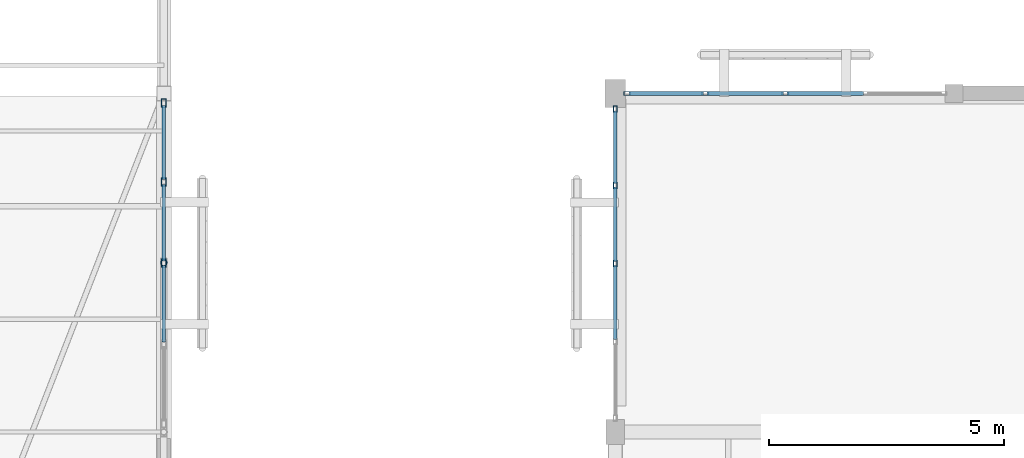
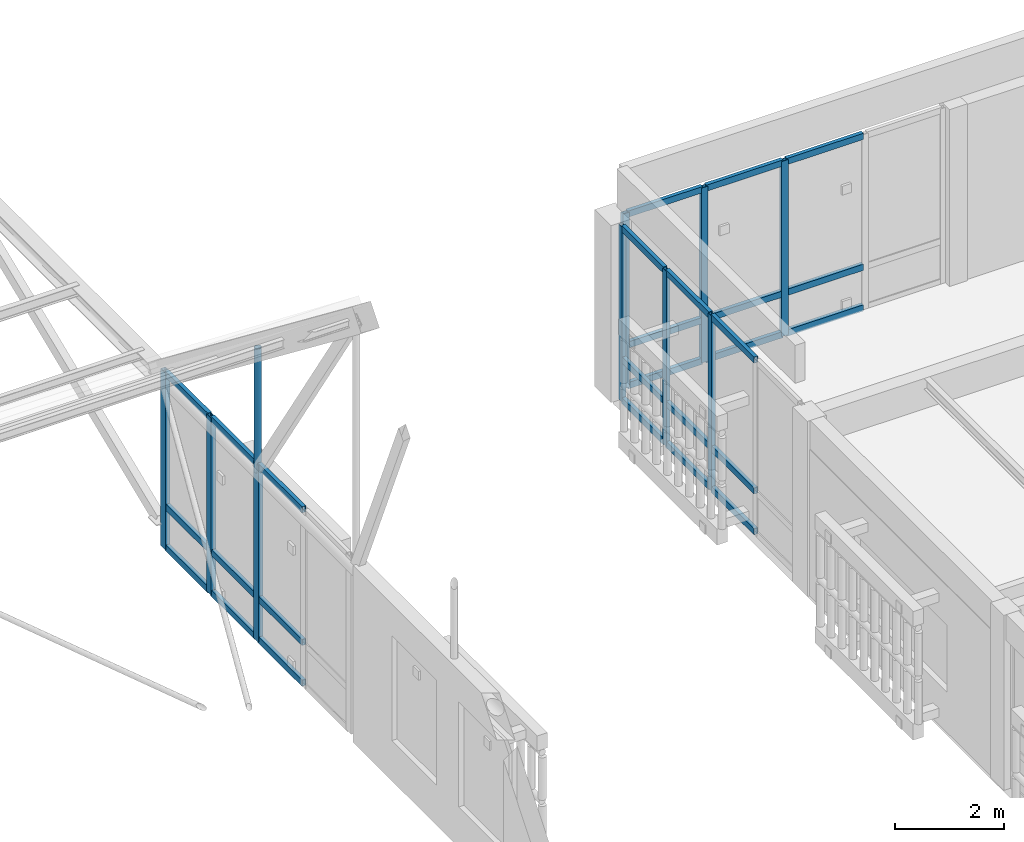
# One storey, part 133 of 217: 37 members, 3 elements without a shape of their own.
"""IFC4 building model written with IfcOpenShell, lengths in metres."""

from ifc_helpers import new_model, si_unit, direction, frame, origin, origin_2d, place, context, subcontext, project, spatial, hollow_rectangle, hollow_circle, extrude, material, layer, layer_set, material_profile, profile_set, type_object, element, aggregate, save


model = new_model("IFC4")

# Units and contexts
model_context = context("Model", 3, precision=1e-05, world=origin(), true_north=direction((0.0, 1.0)))
body_context = subcontext(model_context, "Body", "Model", "MODEL_VIEW")
ifc_project = project(units=[si_unit("LENGTHUNIT", "METRE"), si_unit("AREAUNIT", "SQUARE_METRE"), si_unit("VOLUMEUNIT", "CUBIC_METRE"), si_unit("PLANEANGLEUNIT", "RADIAN"), si_unit("MASSUNIT", "GRAM", prefix="KILO")], contexts=[model_context])

# Site, building, storey
site_placement = place(None, origin())
site = spatial("IfcSite", under=ifc_project, at=site_placement, CompositionType="ELEMENT")
building_placement = place(site_placement, origin())
building = spatial("IfcBuilding", under=site, at=building_placement, Name="Mazaris Harbour Polytechnic", CompositionType="ELEMENT")
storey_placement = place(building_placement, frame((0.0, 0.0, 9.60009765625)))
storey = spatial("IfcBuildingStorey", under=building, at=storey_placement, Name="L02", CompositionType="ELEMENT", Elevation=9.60009765625)

# Curtain wall, members
ifc_material_1 = material(Name="Anodised Bronze Aluminium and Low-E Glass", Category="aluminium")
ifc_layer_1 = layer(ifc_material_1, 0.14990234375, Name="Anodised Bronze Aluminium and Low-E Glass")
ifc_layer_set_1 = layer_set([ifc_layer_1], Name="Anodised Bronze Aluminium and Low-E Glass")
curtain_wall_type_1 = type_object("IfcCurtainWallType", Name="Workshop Clerestory Curtain Wall", PredefinedType="NOTDEFINED", material=ifc_layer_set_1)
curtain_wall_1_placement = place(storey_placement, origin())
curtain_wall_1 = element("IfcCurtainWall", 1, at=curtain_wall_1_placement, inside=storey, type_object=curtain_wall_type_1, Name="V1 L02 Curtain Wall 36", PredefinedType="NOTDEFINED")
ifc_material_2 = material(Name="Anodised Bronze Steel S355", Category="steel")
ifc_material_profile_1 = material_profile(ifc_material_2, hollow_rectangle(XDim=0.10009765625, YDim=0.179931640625, WallThickness=0.008056640625, at=origin_2d()), Name="RHS 100x180x8.0")
ifc_profile_set_1 = profile_set([ifc_material_profile_1], Name="Anodised Bronze Steel S355")
member_type_1 = type_object("IfcMemberType", Name="Curtain Mullion RHS100x180", PredefinedType="MULLION", material=ifc_profile_set_1)
member_1_placement = place(storey_placement, frame((112.800048828125, 107.79296875, 0.0), z_axis=(0.0, 0.0, 1.0), x_axis=(1.0, 0.0, 0.0)))
member_1 = element("IfcMember", 2, at=member_1_placement, type_object=member_type_1, Name="CW-04 mullion 1", PredefinedType="MULLION", context=body_context, shape_type="SweptSolid", body=[
    extrude(hollow_rectangle(XDim=0.10009765625, YDim=0.179931640625, WallThickness=0.008056640625, at=origin_2d()), origin(), (0.0, 0.0, 1.0), 3.9599609375),
])
member_2_placement = place(storey_placement, frame((112.800048828125, 106.116455078125, 0.0), z_axis=(0.0, 0.0, 1.0), x_axis=(1.0, 0.0, 0.0)))
member_2 = element("IfcMember", 3, at=member_2_placement, type_object=member_type_1, Name="CW-04 mullion 2", PredefinedType="MULLION", context=body_context, shape_type="SweptSolid", body=[
    extrude(hollow_rectangle(XDim=0.10009765625, YDim=0.179931640625, WallThickness=0.008056640625, at=origin_2d()), origin(), (0.0, 0.0, 1.0), 3.9599609375),
])
member_3_placement = place(storey_placement, frame((112.800048828125, 104.389892578125, 0.0), z_axis=(0.0, 0.0, 1.0), x_axis=(1.0, 0.0, 0.0)))
member_3 = element("IfcMember", 4, at=member_3_placement, type_object=member_type_1, Name="CW-04 mullion 3", PredefinedType="MULLION", context=body_context, shape_type="SweptSolid", body=[
    extrude(hollow_rectangle(XDim=0.10009765625, YDim=0.179931640625, WallThickness=0.008056640625, at=origin_2d()), origin(), (0.0, 0.0, 1.0), 3.9599609375),
])

ifc_material_3 = material(Name="Anodised Bronze Aluminium and Low-E Glass", Category="aluminium")
ifc_layer_2 = layer(ifc_material_3, 0.169921875, Name="Anodised Bronze Aluminium and Low-E Glass")
ifc_layer_set_2 = layer_set([ifc_layer_2], Name="Anodised Bronze Aluminium and Low-E Glass")
curtain_wall_type_2 = type_object("IfcCurtainWallType", Name="Studio North-Light Curtain Wall", PredefinedType="NOTDEFINED", material=ifc_layer_set_2)
curtain_wall_2_placement = place(storey_placement, origin())
curtain_wall_2 = element("IfcCurtainWall", 5, at=curtain_wall_2_placement, inside=storey, type_object=curtain_wall_type_2, Name="V5 L02 Curtain Wall 227", PredefinedType="NOTDEFINED")
ifc_material_4 = material(Name="Anodised Bronze Steel S355", Category="steel")
ifc_material_profile_2 = material_profile(ifc_material_4, hollow_rectangle(XDim=0.080078125, YDim=0.139892578125, WallThickness=0.00634765625, at=origin_2d()), Name="RHS 80x140x6.3")
ifc_profile_set_2 = profile_set([ifc_material_profile_2], Name="Anodised Bronze Steel S355")
member_type_2 = type_object("IfcMemberType", Name="Curtain Mullion RHS80x140", PredefinedType="MULLION", material=ifc_profile_set_2)
member_4_placement = place(storey_placement, frame((122.652099609375, 108.0, 0.0), z_axis=(0.0, 0.0, 1.0), x_axis=(0.0, 1.0, 0.0)))
member_4 = element("IfcMember", 6, at=member_4_placement, type_object=member_type_2, Name="CW-03 mullion 1", PredefinedType="MULLION", context=body_context, shape_type="SweptSolid", body=[
    extrude(hollow_rectangle(XDim=0.080078125, YDim=0.139892578125, WallThickness=0.00634765625, at=origin_2d()), origin(), (0.0, 0.0, 1.0), 3.919921875),
])
member_5_placement = place(storey_placement, frame((124.3134765625, 108.0, 0.0), z_axis=(0.0, 0.0, 1.0), x_axis=(0.0, 1.0, 0.0)))
member_5 = element("IfcMember", 7, at=member_5_placement, type_object=member_type_2, Name="CW-03 mullion 2", PredefinedType="MULLION", context=body_context, shape_type="SweptSolid", body=[
    extrude(hollow_rectangle(XDim=0.080078125, YDim=0.139892578125, WallThickness=0.00634765625, at=origin_2d()), origin(), (0.0, 0.0, 1.0), 3.919921875),
])
member_6_placement = place(storey_placement, frame((126.014892578125, 108.0, 0.0), z_axis=(0.0, 0.0, 1.0), x_axis=(0.0, 1.0, 0.0)))
member_6 = element("IfcMember", 8, at=member_6_placement, type_object=member_type_2, Name="CW-03 mullion 3", PredefinedType="MULLION", context=body_context, shape_type="SweptSolid", body=[
    extrude(hollow_rectangle(XDim=0.080078125, YDim=0.139892578125, WallThickness=0.00634765625, at=origin_2d()), origin(), (0.0, 0.0, 1.0), 3.919921875),
])

curtain_wall_3_placement = place(storey_placement, origin())
curtain_wall_3 = element("IfcCurtainWall", 9, at=curtain_wall_3_placement, inside=storey, type_object=curtain_wall_type_2, Name="V5 L02 Curtain Wall 234", PredefinedType="NOTDEFINED")
member_7_placement = place(storey_placement, frame((122.39990234375, 104.385009765625, 0.0), z_axis=(0.0, 0.0, 1.0), x_axis=(-1.0, 0.0, 0.0)))
member_7 = element("IfcMember", 10, at=member_7_placement, type_object=member_type_2, Name="CW-03 mullion 3", PredefinedType="MULLION", context=body_context, shape_type="SweptSolid", body=[
    extrude(hollow_rectangle(XDim=0.080078125, YDim=0.139892578125, WallThickness=0.00634765625, at=origin_2d()), origin(), (0.0, 0.0, 1.0), 3.919921875),
])
member_8_placement = place(storey_placement, frame((122.39990234375, 106.04638671875, 0.0), z_axis=(0.0, 0.0, 1.0), x_axis=(-1.0, 0.0, 0.0)))
member_8 = element("IfcMember", 11, at=member_8_placement, type_object=member_type_2, Name="CW-03 mullion 4", PredefinedType="MULLION", context=body_context, shape_type="SweptSolid", body=[
    extrude(hollow_rectangle(XDim=0.080078125, YDim=0.139892578125, WallThickness=0.00634765625, at=origin_2d()), origin(), (0.0, 0.0, 1.0), 3.919921875),
])
member_9_placement = place(storey_placement, frame((122.39990234375, 107.66796875, 0.0), z_axis=(0.0, 0.0, 1.0), x_axis=(-1.0, 0.0, 0.0)))
member_9 = element("IfcMember", 12, at=member_9_placement, type_object=member_type_2, Name="CW-03 mullion 5", PredefinedType="MULLION", context=body_context, shape_type="SweptSolid", body=[
    extrude(hollow_rectangle(XDim=0.080078125, YDim=0.139892578125, WallThickness=0.00634765625, at=origin_2d()), origin(), (0.0, 0.0, 1.0), 3.919921875),
])

# Member
ifc_material_5 = material(Name="Anodised Bronze Steel S355", Category="steel")
ifc_material_profile_3 = material_profile(ifc_material_5, hollow_rectangle(XDim=0.080078125, YDim=0.139892578125, WallThickness=0.00634765625, at=origin_2d()), Name="RHS 80x140x6.3")
ifc_profile_set_3 = profile_set([ifc_material_profile_3], Name="Anodised Bronze Steel S355")
member_type_3 = type_object("IfcMemberType", Name="Curtain Transom RHS80x140", PredefinedType="USERDEFINED", material=ifc_profile_set_3)
member_10_placement = place(storey_placement, frame((112.800048828125, 107.742919921875, 0.039794921875), z_axis=(0.0, -1.0, 0.0), x_axis=(1.0, 0.0, 0.0)))
member_10 = element("IfcMember", 13, at=member_10_placement, type_object=member_type_3, Name="CW-04 transom 1.1", ObjectType="TRANSOM", PredefinedType="USERDEFINED", context=body_context, shape_type="SweptSolid", body=[
    extrude(hollow_rectangle(XDim=0.080078125, YDim=0.139892578125, WallThickness=0.00634765625, at=origin_2d()), origin(), (0.0, 0.0, 1.0), 1.576416015625),
])

member_11_placement = place(storey_placement, frame((112.800048828125, 107.742919921875, 0.949951171875), z_axis=(0.0, -1.0, 0.0), x_axis=(1.0, 0.0, 0.0)))
member_11 = element("IfcMember", 14, at=member_11_placement, type_object=member_type_3, Name="CW-04 transom 1.2", ObjectType="TRANSOM", PredefinedType="USERDEFINED", context=body_context, shape_type="SweptSolid", body=[
    extrude(hollow_rectangle(XDim=0.080078125, YDim=0.139892578125, WallThickness=0.00634765625, at=origin_2d()), origin(), (0.0, 0.0, 1.0), 1.576416015625),
])

member_12_placement = place(storey_placement, frame((112.800048828125, 107.742919921875, 3.919921875), z_axis=(0.0, -1.0, 0.0), x_axis=(1.0, 0.0, 0.0)))
member_12 = element("IfcMember", 15, at=member_12_placement, type_object=member_type_3, Name="CW-04 transom 1.3", ObjectType="TRANSOM", PredefinedType="USERDEFINED", context=body_context, shape_type="SweptSolid", body=[
    extrude(hollow_rectangle(XDim=0.080078125, YDim=0.139892578125, WallThickness=0.00634765625, at=origin_2d()), origin(), (0.0, 0.0, 1.0), 1.576416015625),
])

member_13_placement = place(storey_placement, frame((112.800048828125, 106.06640625, 0.039794921875), z_axis=(0.0, -1.0, 0.0), x_axis=(1.0, 0.0, 0.0)))
member_13 = element("IfcMember", 16, at=member_13_placement, type_object=member_type_3, Name="CW-04 transom 2.1", ObjectType="TRANSOM", PredefinedType="USERDEFINED", context=body_context, shape_type="SweptSolid", body=[
    extrude(hollow_rectangle(XDim=0.080078125, YDim=0.139892578125, WallThickness=0.00634765625, at=origin_2d()), origin(), (0.0, 0.0, 1.0), 1.62646484375),
])

member_14_placement = place(storey_placement, frame((112.800048828125, 106.06640625, 0.949951171875), z_axis=(0.0, -1.0, 0.0), x_axis=(1.0, 0.0, 0.0)))
member_14 = element("IfcMember", 17, at=member_14_placement, type_object=member_type_3, Name="CW-04 transom 2.2", ObjectType="TRANSOM", PredefinedType="USERDEFINED", context=body_context, shape_type="SweptSolid", body=[
    extrude(hollow_rectangle(XDim=0.080078125, YDim=0.139892578125, WallThickness=0.00634765625, at=origin_2d()), origin(), (0.0, 0.0, 1.0), 1.62646484375),
])

member_15_placement = place(storey_placement, frame((112.800048828125, 106.06640625, 3.919921875), z_axis=(0.0, -1.0, 0.0), x_axis=(1.0, 0.0, 0.0)))
member_15 = element("IfcMember", 18, at=member_15_placement, type_object=member_type_3, Name="CW-04 transom 2.3", ObjectType="TRANSOM", PredefinedType="USERDEFINED", context=body_context, shape_type="SweptSolid", body=[
    extrude(hollow_rectangle(XDim=0.080078125, YDim=0.139892578125, WallThickness=0.00634765625, at=origin_2d()), origin(), (0.0, 0.0, 1.0), 1.62646484375),
])

member_16_placement = place(storey_placement, frame((112.800048828125, 104.340087890625, 0.039794921875), z_axis=(0.0, -1.0, 0.0), x_axis=(1.0, 0.0, 0.0)))
member_16 = element("IfcMember", 19, at=member_16_placement, type_object=member_type_3, Name="CW-04 transom 3.1", ObjectType="TRANSOM", PredefinedType="USERDEFINED", context=body_context, shape_type="SweptSolid", body=[
    extrude(hollow_rectangle(XDim=0.080078125, YDim=0.139892578125, WallThickness=0.00634765625, at=origin_2d()), origin(), (0.0, 0.0, 1.0), 1.626708984375),
])

member_17_placement = place(storey_placement, frame((112.800048828125, 104.340087890625, 0.949951171875), z_axis=(0.0, -1.0, 0.0), x_axis=(1.0, 0.0, 0.0)))
member_17 = element("IfcMember", 20, at=member_17_placement, type_object=member_type_3, Name="CW-04 transom 3.2", ObjectType="TRANSOM", PredefinedType="USERDEFINED", context=body_context, shape_type="SweptSolid", body=[
    extrude(hollow_rectangle(XDim=0.080078125, YDim=0.139892578125, WallThickness=0.00634765625, at=origin_2d()), origin(), (0.0, 0.0, 1.0), 1.626708984375),
])

member_18_placement = place(storey_placement, frame((112.800048828125, 104.340087890625, 3.919921875), z_axis=(0.0, -1.0, 0.0), x_axis=(1.0, 0.0, 0.0)))
member_18 = element("IfcMember", 21, at=member_18_placement, type_object=member_type_3, Name="CW-04 transom 3.3", ObjectType="TRANSOM", PredefinedType="USERDEFINED", context=body_context, shape_type="SweptSolid", body=[
    extrude(hollow_rectangle(XDim=0.080078125, YDim=0.139892578125, WallThickness=0.00634765625, at=origin_2d()), origin(), (0.0, 0.0, 1.0), 1.626708984375),
])

aggregate(curtain_wall_1, [member_1, member_2, member_3, member_10, member_11, member_12, member_13, member_14, member_15, member_16, member_17, member_18])

member_19_placement = place(storey_placement, frame((122.69189453125, 108.0, 0.039794921875), z_axis=(1.0, 0.0, 0.0), x_axis=(0.0, 1.0, 0.0)))
member_19 = element("IfcMember", 22, at=member_19_placement, type_object=member_type_3, Name="CW-03 transom 1.1", ObjectType="TRANSOM", PredefinedType="USERDEFINED", context=body_context, shape_type="SweptSolid", body=[
    extrude(hollow_rectangle(XDim=0.080078125, YDim=0.139892578125, WallThickness=0.00634765625, at=origin_2d()), origin(), (0.0, 0.0, 1.0), 1.58154296875),
])

member_20_placement = place(storey_placement, frame((122.69189453125, 108.0, 0.949951171875), z_axis=(1.0, 0.0, 0.0), x_axis=(0.0, 1.0, 0.0)))
member_20 = element("IfcMember", 23, at=member_20_placement, type_object=member_type_3, Name="CW-03 transom 1.2", ObjectType="TRANSOM", PredefinedType="USERDEFINED", context=body_context, shape_type="SweptSolid", body=[
    extrude(hollow_rectangle(XDim=0.080078125, YDim=0.139892578125, WallThickness=0.00634765625, at=origin_2d()), origin(), (0.0, 0.0, 1.0), 1.58154296875),
])

member_21_placement = place(storey_placement, frame((122.69189453125, 108.0, 3.8798828125), z_axis=(1.0, 0.0, 0.0), x_axis=(0.0, 1.0, 0.0)))
member_21 = element("IfcMember", 24, at=member_21_placement, type_object=member_type_3, Name="CW-03 transom 1.3", ObjectType="TRANSOM", PredefinedType="USERDEFINED", context=body_context, shape_type="SweptSolid", body=[
    extrude(hollow_rectangle(XDim=0.080078125, YDim=0.139892578125, WallThickness=0.00634765625, at=origin_2d()), origin(), (0.0, 0.0, 1.0), 1.58154296875),
])

member_22_placement = place(storey_placement, frame((124.353515625, 108.0, 0.039794921875), z_axis=(1.0, 0.0, 0.0), x_axis=(0.0, 1.0, 0.0)))
member_22 = element("IfcMember", 25, at=member_22_placement, type_object=member_type_3, Name="CW-03 transom 2.1", ObjectType="TRANSOM", PredefinedType="USERDEFINED", context=body_context, shape_type="SweptSolid", body=[
    extrude(hollow_rectangle(XDim=0.080078125, YDim=0.139892578125, WallThickness=0.00634765625, at=origin_2d()), origin(), (0.0, 0.0, 1.0), 1.62158203125),
])

member_23_placement = place(storey_placement, frame((124.353515625, 108.0, 0.949951171875), z_axis=(1.0, 0.0, 0.0), x_axis=(0.0, 1.0, 0.0)))
member_23 = element("IfcMember", 26, at=member_23_placement, type_object=member_type_3, Name="CW-03 transom 2.2", ObjectType="TRANSOM", PredefinedType="USERDEFINED", context=body_context, shape_type="SweptSolid", body=[
    extrude(hollow_rectangle(XDim=0.080078125, YDim=0.139892578125, WallThickness=0.00634765625, at=origin_2d()), origin(), (0.0, 0.0, 1.0), 1.62158203125),
])

member_24_placement = place(storey_placement, frame((124.353515625, 108.0, 3.8798828125), z_axis=(1.0, 0.0, 0.0), x_axis=(0.0, 1.0, 0.0)))
member_24 = element("IfcMember", 27, at=member_24_placement, type_object=member_type_3, Name="CW-03 transom 2.3", ObjectType="TRANSOM", PredefinedType="USERDEFINED", context=body_context, shape_type="SweptSolid", body=[
    extrude(hollow_rectangle(XDim=0.080078125, YDim=0.139892578125, WallThickness=0.00634765625, at=origin_2d()), origin(), (0.0, 0.0, 1.0), 1.62158203125),
])

member_25_placement = place(storey_placement, frame((126.054931640625, 108.0, 0.039794921875), z_axis=(1.0, 0.0, 0.0), x_axis=(0.0, 1.0, 0.0)))
member_25 = element("IfcMember", 28, at=member_25_placement, type_object=member_type_3, Name="CW-03 transom 3.1", ObjectType="TRANSOM", PredefinedType="USERDEFINED", context=body_context, shape_type="SweptSolid", body=[
    extrude(hollow_rectangle(XDim=0.080078125, YDim=0.139892578125, WallThickness=0.00634765625, at=origin_2d()), origin(), (0.0, 0.0, 1.0), 1.62158203125),
])

member_26_placement = place(storey_placement, frame((126.054931640625, 108.0, 0.949951171875), z_axis=(1.0, 0.0, 0.0), x_axis=(0.0, 1.0, 0.0)))
member_26 = element("IfcMember", 29, at=member_26_placement, type_object=member_type_3, Name="CW-03 transom 3.2", ObjectType="TRANSOM", PredefinedType="USERDEFINED", context=body_context, shape_type="SweptSolid", body=[
    extrude(hollow_rectangle(XDim=0.080078125, YDim=0.139892578125, WallThickness=0.00634765625, at=origin_2d()), origin(), (0.0, 0.0, 1.0), 1.62158203125),
])

member_27_placement = place(storey_placement, frame((126.054931640625, 108.0, 3.8798828125), z_axis=(1.0, 0.0, 0.0), x_axis=(0.0, 1.0, 0.0)))
member_27 = element("IfcMember", 30, at=member_27_placement, type_object=member_type_3, Name="CW-03 transom 3.3", ObjectType="TRANSOM", PredefinedType="USERDEFINED", context=body_context, shape_type="SweptSolid", body=[
    extrude(hollow_rectangle(XDim=0.080078125, YDim=0.139892578125, WallThickness=0.00634765625, at=origin_2d()), origin(), (0.0, 0.0, 1.0), 1.62158203125),
])

aggregate(curtain_wall_2, [member_4, member_5, member_6, member_19, member_20, member_21, member_22, member_23, member_24, member_25, member_26, member_27])

member_28_placement = place(storey_placement, frame((122.39990234375, 102.763427734375, 0.039794921875), z_axis=(0.0, 1.0, 0.0), x_axis=(-1.0, 0.0, 0.0)))
member_28 = element("IfcMember", 31, at=member_28_placement, type_object=member_type_3, Name="CW-03 transom 2.1", ObjectType="TRANSOM", PredefinedType="USERDEFINED", context=body_context, shape_type="SweptSolid", body=[
    extrude(hollow_rectangle(XDim=0.080078125, YDim=0.139892578125, WallThickness=0.00634765625, at=origin_2d()), origin(), (0.0, 0.0, 1.0), 1.58154296875),
])

member_29_placement = place(storey_placement, frame((122.39990234375, 102.763427734375, 0.949951171875), z_axis=(0.0, 1.0, 0.0), x_axis=(-1.0, 0.0, 0.0)))
member_29 = element("IfcMember", 32, at=member_29_placement, type_object=member_type_3, Name="CW-03 transom 2.2", ObjectType="TRANSOM", PredefinedType="USERDEFINED", context=body_context, shape_type="SweptSolid", body=[
    extrude(hollow_rectangle(XDim=0.080078125, YDim=0.139892578125, WallThickness=0.00634765625, at=origin_2d()), origin(), (0.0, 0.0, 1.0), 1.58154296875),
])

member_30_placement = place(storey_placement, frame((122.39990234375, 102.763427734375, 3.8798828125), z_axis=(0.0, 1.0, 0.0), x_axis=(-1.0, 0.0, 0.0)))
member_30 = element("IfcMember", 33, at=member_30_placement, type_object=member_type_3, Name="CW-03 transom 2.3", ObjectType="TRANSOM", PredefinedType="USERDEFINED", context=body_context, shape_type="SweptSolid", body=[
    extrude(hollow_rectangle(XDim=0.080078125, YDim=0.139892578125, WallThickness=0.00634765625, at=origin_2d()), origin(), (0.0, 0.0, 1.0), 1.58154296875),
])

member_31_placement = place(storey_placement, frame((122.39990234375, 104.425048828125, 0.039794921875), z_axis=(0.0, 1.0, 0.0), x_axis=(-1.0, 0.0, 0.0)))
member_31 = element("IfcMember", 34, at=member_31_placement, type_object=member_type_3, Name="CW-03 transom 3.1", ObjectType="TRANSOM", PredefinedType="USERDEFINED", context=body_context, shape_type="SweptSolid", body=[
    extrude(hollow_rectangle(XDim=0.080078125, YDim=0.139892578125, WallThickness=0.00634765625, at=origin_2d()), origin(), (0.0, 0.0, 1.0), 1.58154296875),
])

member_32_placement = place(storey_placement, frame((122.39990234375, 104.425048828125, 0.949951171875), z_axis=(0.0, 1.0, 0.0), x_axis=(-1.0, 0.0, 0.0)))
member_32 = element("IfcMember", 35, at=member_32_placement, type_object=member_type_3, Name="CW-03 transom 3.2", ObjectType="TRANSOM", PredefinedType="USERDEFINED", context=body_context, shape_type="SweptSolid", body=[
    extrude(hollow_rectangle(XDim=0.080078125, YDim=0.139892578125, WallThickness=0.00634765625, at=origin_2d()), origin(), (0.0, 0.0, 1.0), 1.58154296875),
])

member_33_placement = place(storey_placement, frame((122.39990234375, 104.425048828125, 3.8798828125), z_axis=(0.0, 1.0, 0.0), x_axis=(-1.0, 0.0, 0.0)))
member_33 = element("IfcMember", 36, at=member_33_placement, type_object=member_type_3, Name="CW-03 transom 3.3", ObjectType="TRANSOM", PredefinedType="USERDEFINED", context=body_context, shape_type="SweptSolid", body=[
    extrude(hollow_rectangle(XDim=0.080078125, YDim=0.139892578125, WallThickness=0.00634765625, at=origin_2d()), origin(), (0.0, 0.0, 1.0), 1.58154296875),
])

member_34_placement = place(storey_placement, frame((122.39990234375, 106.08642578125, 0.039794921875), z_axis=(0.0, 1.0, 0.0), x_axis=(-1.0, 0.0, 0.0)))
member_34 = element("IfcMember", 37, at=member_34_placement, type_object=member_type_3, Name="CW-03 transom 4.1", ObjectType="TRANSOM", PredefinedType="USERDEFINED", context=body_context, shape_type="SweptSolid", body=[
    extrude(hollow_rectangle(XDim=0.080078125, YDim=0.139892578125, WallThickness=0.00634765625, at=origin_2d()), origin(), (0.0, 0.0, 1.0), 1.54150390625),
])

member_35_placement = place(storey_placement, frame((122.39990234375, 106.08642578125, 0.949951171875), z_axis=(0.0, 1.0, 0.0), x_axis=(-1.0, 0.0, 0.0)))
member_35 = element("IfcMember", 38, at=member_35_placement, type_object=member_type_3, Name="CW-03 transom 4.2", ObjectType="TRANSOM", PredefinedType="USERDEFINED", context=body_context, shape_type="SweptSolid", body=[
    extrude(hollow_rectangle(XDim=0.080078125, YDim=0.139892578125, WallThickness=0.00634765625, at=origin_2d()), origin(), (0.0, 0.0, 1.0), 1.54150390625),
])

member_36_placement = place(storey_placement, frame((122.39990234375, 106.08642578125, 3.8798828125), z_axis=(0.0, 1.0, 0.0), x_axis=(-1.0, 0.0, 0.0)))
member_36 = element("IfcMember", 39, at=member_36_placement, type_object=member_type_3, Name="CW-03 transom 4.3", ObjectType="TRANSOM", PredefinedType="USERDEFINED", context=body_context, shape_type="SweptSolid", body=[
    extrude(hollow_rectangle(XDim=0.080078125, YDim=0.139892578125, WallThickness=0.00634765625, at=origin_2d()), origin(), (0.0, 0.0, 1.0), 1.54150390625),
])

aggregate(curtain_wall_3, [member_7, member_8, member_9, member_28, member_29, member_30, member_31, member_32, member_33, member_34, member_35, member_36])

ifc_material_6 = material(Name="Steel S355", Category="steel")
ifc_material_profile_4 = material_profile(ifc_material_6, hollow_circle(Radius=0.06982421875, WallThickness=0.008056640625, at=origin_2d()), Name="CHS 139.7x8.0")
ifc_profile_set_4 = profile_set([ifc_material_profile_4], Name="Steel S355")
member_type_4 = type_object("IfcMemberType", Name="Steel Truss Strut CHS139", PredefinedType="STRUT", material=ifc_profile_set_4)
member_37_placement = place(storey_placement, frame((112.800048828125, 104.39990234375, 3.75), z_axis=(0.0, 0.0, 1.0), x_axis=(1.0, 0.0, 0.0)))
element("IfcMember", 40, at=member_37_placement, inside=storey, type_object=member_type_4, Name="Truss 8 Web Post N2", PredefinedType="STRUT", context=body_context, shape_type="SweptSolid", body=[
    extrude(hollow_circle(Radius=0.06982421875, WallThickness=0.008056640625, at=origin_2d()), origin(), (0.0, 0.0, 1.0), 2.783203125),
])

save(model, "model.ifc")
